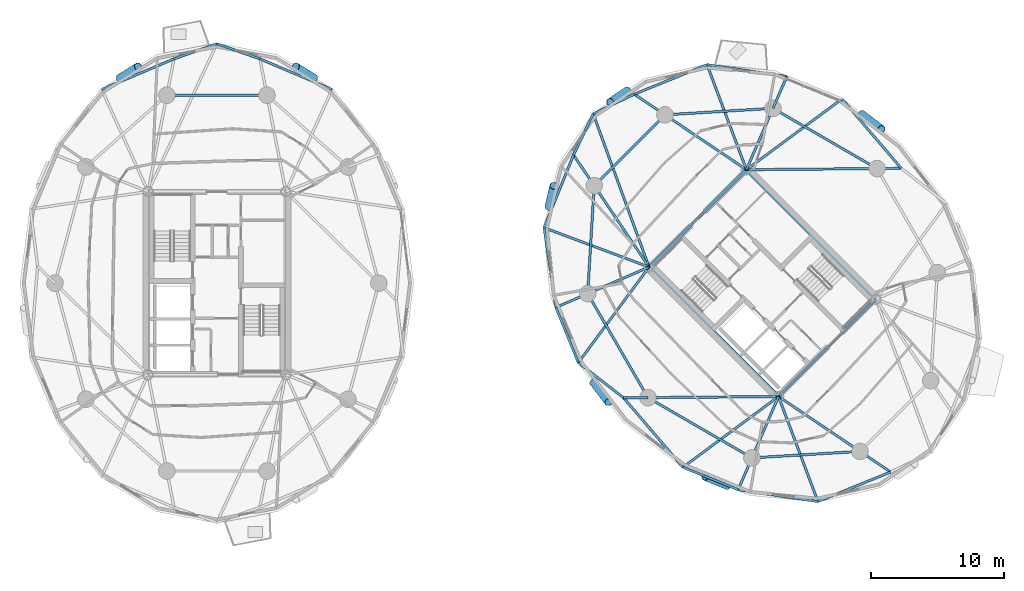
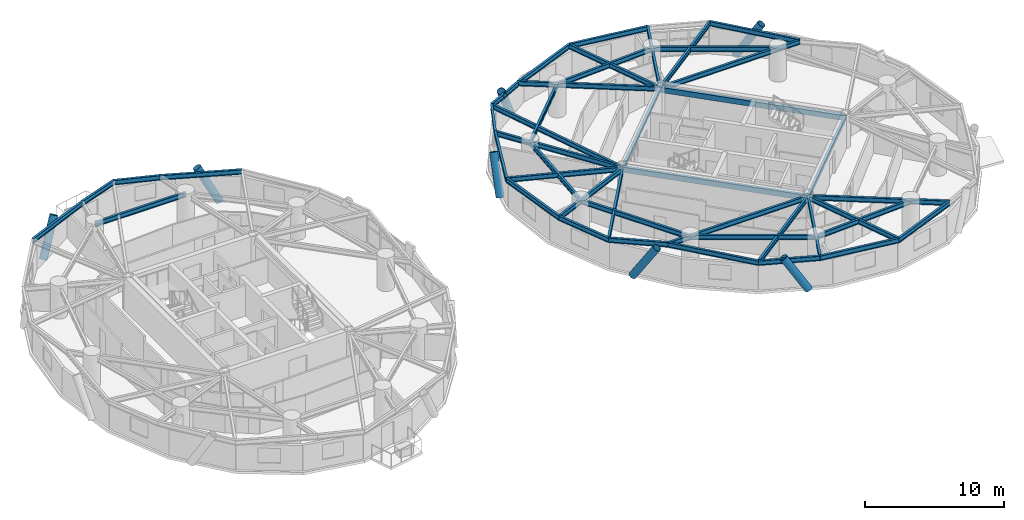
# One storey, part 5 of 17: 46 beams, 7 members.
"""IFC4 building model written with IfcOpenShell, lengths in metres."""

from ifc_helpers import new_model, si_unit, direction, frame, origin, origin_2d, place, context, subcontext, project, spatial, hollow_rectangle, hollow_circle, i_section, extrude, material, material_profile, profile_set, type_object, element, save


model = new_model("IFC4")

# Units and contexts
model_context = context("Model", 3, precision=1e-05, world=origin(), true_north=direction((0.0, 1.0)))
body_context = subcontext(model_context, "Body", "Model", "MODEL_VIEW")
ifc_project = project(units=[si_unit("LENGTHUNIT", "METRE"), si_unit("AREAUNIT", "SQUARE_METRE"), si_unit("VOLUMEUNIT", "CUBIC_METRE"), si_unit("PLANEANGLEUNIT", "RADIAN"), si_unit("MASSUNIT", "GRAM", prefix="KILO")], contexts=[model_context])

# Site, building, storey
site_placement = place(None, origin())
site = spatial("IfcSite", under=ifc_project, at=site_placement, CompositionType="ELEMENT")
building_placement = place(site_placement, origin())
building = spatial("IfcBuilding", under=site, at=building_placement, Name="Cununo Teusaquillo Station Towers", CompositionType="ELEMENT")
storey_placement = place(building_placement, frame((0.0, 0.0, 163.239990234375)))
storey = spatial("IfcBuildingStorey", under=building, at=storey_placement, Name="L51", CompositionType="ELEMENT", Elevation=163.239990234375)

# Beams
ifc_material_1 = material(Name="Steel EN 10025-2 S355J2", Category="steel")
ifc_material_profile_1 = material_profile(ifc_material_1, hollow_rectangle(XDim=0.25, YDim=0.449951171875, WallThickness=0.01611328125, at=origin_2d()), Name="RHS 450x250x16")
ifc_profile_set_1 = profile_set([ifc_material_profile_1], Name="Steel EN 10025-2 S355J2")
beam_type_1 = type_object("IfcBeamType", Name="BM-COUP-1", PredefinedType="USERDEFINED", material=ifc_profile_set_1)
for number, where, z_axis, x_axis, name in (
    (1, (58.70556640625, 15.975830078125, 2.465087890625), (-0.707106781187, 0.707106781187, 0.0), (-0.707106781187, -0.707106781187, 0.0), "L51 Tower B Core Beam 1"),
    (2, (66.024169921875, 23.29443359375, 2.465087890625), (-0.707106781187, 0.707106781187, 0.0), (-0.707106781187, -0.707106781187, 0.0), "L51 Tower B Core Beam 2"),
):
    element("IfcBeam", number, at=place(storey_placement, frame(where, z_axis=z_axis, x_axis=x_axis)), inside=storey, type_object=beam_type_1, Name=name, ObjectType="COUPLING BEAM", PredefinedType="USERDEFINED", context=body_context, shape_type="SweptSolid", body=[
        extrude(hollow_rectangle(XDim=0.25, YDim=0.449951171875, WallThickness=0.01611328125, at=origin_2d()), origin(), (0.0, 0.0, 1.0), 13.760009765625),
    ])
ifc_material_2 = material(Name="Steel ASTM A572 Grade 50", Category="steel")
ifc_material_profile_2 = material_profile(ifc_material_2, i_section(OverallWidth=0.180908203125, OverallDepth=0.4169921875, WebThickness=0.010986328125, FlangeThickness=0.018310546875, FilletRadius=0.012939453125, at=origin_2d()), Name="W16X57")
ifc_profile_set_2 = profile_set([ifc_material_profile_2], Name="Steel ASTM A572 Grade 50")
beam_type_2 = type_object("IfcBeamType", Name="BM-JOIST-1", PredefinedType="JOIST", material=ifc_profile_set_2)
beam_1_placement = place(storey_placement, frame((56.29443359375, 33.024169921875, 2.4814453125), z_axis=(0.803848430471, 0.594834179272, 0.0), x_axis=(-0.594834179272, 0.803848430471, 0.0)))
element("IfcBeam", 3, at=beam_1_placement, inside=storey, type_object=beam_type_2, Name="L51 Tower B Radial Spandrel Joist V01", PredefinedType="JOIST", context=body_context, shape_type="SweptSolid", body=[
    extrude(i_section(OverallWidth=0.180908203125, OverallDepth=0.4169921875, WebThickness=0.010986328125, FlangeThickness=0.018310546875, FilletRadius=0.012939453125, at=origin_2d()), origin(), (0.0, 0.0, 1.0), 8.936767578125),
])
beam_2_placement = place(storey_placement, frame((56.29443359375, 33.024169921875, 2.4814453125), z_axis=(-0.351348805076, 0.936244635323, 0.0), x_axis=(-0.936244635323, -0.351348805076, 0.0)))
element("IfcBeam", 4, at=beam_2_placement, inside=storey, type_object=beam_type_2, Name="L51 Tower B Radial Spandrel Joist V03", PredefinedType="JOIST", context=body_context, shape_type="SweptSolid", body=[
    extrude(i_section(OverallWidth=0.180908203125, OverallDepth=0.4169921875, WebThickness=0.010986328125, FlangeThickness=0.018310546875, FilletRadius=0.012939453125, at=origin_2d()), origin(), (0.0, 0.0, 1.0), 8.4287109375),
])
beam_3_placement = place(storey_placement, frame((48.975830078125, 25.70556640625, 2.4814453125), z_axis=(-0.34241791496, 0.939547748395, 0.0), x_axis=(-0.939547748395, -0.34241791496, 0.0)))
element("IfcBeam", 5, at=beam_3_placement, inside=storey, type_object=beam_type_2, Name="L51 Tower B Radial Spandrel Joist V05", PredefinedType="JOIST", context=body_context, shape_type="SweptSolid", body=[
    extrude(i_section(OverallWidth=0.180908203125, OverallDepth=0.4169921875, WebThickness=0.010986328125, FlangeThickness=0.018310546875, FilletRadius=0.012939453125, at=origin_2d()), origin(), (0.0, 0.0, 1.0), 12.25634765625),
])
beam_4_placement = place(storey_placement, frame((48.975830078125, 25.70556640625, 2.4814453125), z_axis=(-0.936244635323, 0.351348805076, 0.0), x_axis=(-0.351348805076, -0.936244635323, 0.0)))
element("IfcBeam", 6, at=beam_4_placement, inside=storey, type_object=beam_type_2, Name="L51 Tower B Radial Spandrel Joist V07", PredefinedType="JOIST", context=body_context, shape_type="SweptSolid", body=[
    extrude(i_section(OverallWidth=0.180908203125, OverallDepth=0.4169921875, WebThickness=0.010986328125, FlangeThickness=0.018310546875, FilletRadius=0.012939453125, at=origin_2d()), origin(), (0.0, 0.0, 1.0), 8.4287109375),
])
for number, where, z_axis, x_axis, name in (
    (7, (48.975830078125, 25.70556640625, 2.4814453125), (-0.594834179272, -0.803848430471, 0.0), (0.803848430471, -0.594834179272, 0.0), "L51 Tower B Radial Spandrel Joist V09"),
    (8, (58.70556640625, 15.975830078125, 2.4814453125), (-0.803848430471, -0.594834179272, 0.0), (0.594834179272, -0.803848430471, 0.0), "L51 Tower B Radial Spandrel Joist V11"),
):
    element("IfcBeam", number, at=place(storey_placement, frame(where, z_axis=z_axis, x_axis=x_axis)), inside=storey, type_object=beam_type_2, Name=name, PredefinedType="JOIST", context=body_context, shape_type="SweptSolid", body=[
        extrude(i_section(OverallWidth=0.180908203125, OverallDepth=0.4169921875, WebThickness=0.010986328125, FlangeThickness=0.018310546875, FilletRadius=0.012939453125, at=origin_2d()), origin(), (0.0, 0.0, 1.0), 8.936767578125),
    ])
beam_5_placement = place(storey_placement, frame((58.70556640625, 15.975830078125, 2.4814453125), z_axis=(0.351348805076, -0.936244635323, 0.0), x_axis=(0.936244635323, 0.351348805076, 0.0)))
element("IfcBeam", 9, at=beam_5_placement, inside=storey, type_object=beam_type_2, Name="L51 Tower B Radial Spandrel Joist V13", PredefinedType="JOIST", context=body_context, shape_type="SweptSolid", body=[
    extrude(i_section(OverallWidth=0.180908203125, OverallDepth=0.4169921875, WebThickness=0.010986328125, FlangeThickness=0.018310546875, FilletRadius=0.012939453125, at=origin_2d()), origin(), (0.0, 0.0, 1.0), 8.4287109375),
])
ifc_material_3 = material(Name="Steel ASTM A572 Grade 50", Category="steel")
ifc_material_profile_3 = material_profile(ifc_material_3, i_section(OverallWidth=0.2041015625, OverallDepth=0.35009765625, WebThickness=0.008544921875, FlangeThickness=0.01513671875, FilletRadius=0.011962890625, at=origin_2d()), Name="W14X48")
ifc_profile_set_3 = profile_set([ifc_material_profile_3], Name="Steel ASTM A572 Grade 50")
beam_type_3 = type_object("IfcBeamType", Name="BM-LINTEL-1", PredefinedType="LINTEL", material=ifc_profile_set_3)
for number, where, z_axis, x_axis, name in (
    (10, (58.70556640625, 15.975830078125, 2.514892578125), (0.707106781187, 0.707106781187, 0.0), (-0.707106781187, 0.707106781187, 0.0), "L51 Tower B Core Beam 3"),
    (11, (48.975830078125, 25.70556640625, 2.514892578125), (0.707106781187, 0.707106781187, 0.0), (-0.707106781187, 0.707106781187, 0.0), "L51 Tower B Core Beam 4"),
):
    element("IfcBeam", number, at=place(storey_placement, frame(where, z_axis=z_axis, x_axis=x_axis)), inside=storey, type_object=beam_type_3, Name=name, PredefinedType="LINTEL", context=body_context, shape_type="SweptSolid", body=[
        extrude(i_section(OverallWidth=0.2041015625, OverallDepth=0.35009765625, WebThickness=0.008544921875, FlangeThickness=0.01513671875, FilletRadius=0.011962890625, at=origin_2d()), origin(), (0.0, 0.0, 1.0), 10.35009765625),
    ])
ifc_material_4 = material(Name="Steel ASTM A572 Grade 50", Category="steel")
ifc_material_profile_4 = material_profile(ifc_material_4, i_section(OverallWidth=0.180908203125, OverallDepth=0.4169921875, WebThickness=0.010986328125, FlangeThickness=0.018310546875, FilletRadius=0.012939453125, at=origin_2d()), Name="W16X57")
ifc_profile_set_4 = profile_set([ifc_material_profile_4], Name="Steel ASTM A572 Grade 50")
beam_type_4 = type_object("IfcBeamType", Name="BM-RAD-G2", PredefinedType="BEAM", material=ifc_profile_set_4)
beam_6_placement = place(storey_placement, frame((56.29443359375, 33.024169921875, 2.4814453125), z_axis=(0.999964454788, 0.008431438866, 0.0), x_axis=(-0.008431438866, 0.999964454788, 0.0)))
element("IfcBeam", 12, at=beam_6_placement, inside=storey, type_object=beam_type_4, Name="L51 Tower B Continuous Overhanging Radial Girder 01", PredefinedType="BEAM", context=body_context, shape_type="SweptSolid", body=[
    extrude(i_section(OverallWidth=0.180908203125, OverallDepth=0.4169921875, WebThickness=0.010986328125, FlangeThickness=0.018310546875, FilletRadius=0.012939453125, at=origin_2d()), origin(), (0.0, 0.0, 1.0), 11.640380859375),
])
beam_7_placement = place(storey_placement, frame((56.29443359375, 33.024169921875, 2.4814453125), z_axis=(0.397346986387, 0.917668443616, 0.0), x_axis=(-0.917668443616, 0.397346986387, 0.0)))
element("IfcBeam", 13, at=beam_7_placement, inside=storey, type_object=beam_type_4, Name="L51 Tower B Radial Girder 02A", PredefinedType="BEAM", context=body_context, shape_type="SweptSolid", body=[
    extrude(i_section(OverallWidth=0.180908203125, OverallDepth=0.4169921875, WebThickness=0.010986328125, FlangeThickness=0.018310546875, FilletRadius=0.012939453125, at=origin_2d()), origin(), (0.0, 0.0, 1.0), 5.02490234375),
])
beam_8_placement = place(storey_placement, frame((58.291015625, 37.63525390625, 2.4814453125), z_axis=(0.397431352311, 0.917631908883, 0.0), x_axis=(-0.917631908883, 0.397431352311, 0.0)))
element("IfcBeam", 14, at=beam_8_placement, inside=storey, type_object=beam_type_4, Name="L51 Tower B Perimeter Overhang Girder 02B", PredefinedType="BEAM", context=body_context, shape_type="SweptSolid", body=[
    extrude(i_section(OverallWidth=0.180908203125, OverallDepth=0.4169921875, WebThickness=0.010986328125, FlangeThickness=0.018310546875, FilletRadius=0.012939453125, at=origin_2d()), origin(), (0.0, 0.0, 1.0), 2.607177734375),
])
for number, where, z_axis, x_axis, name in (
    (15, (56.29443359375, 33.024169921875, 2.4814453125), (-0.829456923219, 0.558570687133, 0.0), (-0.558570687133, -0.829456923219, 0.0), "L51 Tower B Continuous Overhanging Radial Girder 03"),
    (16, (48.975830078125, 25.70556640625, 2.4814453125), (-0.558570687133, 0.829456923219, 0.0), (-0.829456923219, -0.558570687133, 0.0), "L51 Tower B Continuous Overhanging Radial Girder 04"),
):
    element("IfcBeam", number, at=place(storey_placement, frame(where, z_axis=z_axis, x_axis=x_axis)), inside=storey, type_object=beam_type_4, Name=name, PredefinedType="BEAM", context=body_context, shape_type="SweptSolid", body=[
        extrude(i_section(OverallWidth=0.180908203125, OverallDepth=0.4169921875, WebThickness=0.010986328125, FlangeThickness=0.018310546875, FilletRadius=0.012939453125, at=origin_2d()), origin(), (0.0, 0.0, 1.0), 10.1591796875),
    ])
beam_9_placement = place(storey_placement, frame((48.975830078125, 25.70556640625, 2.4814453125), z_axis=(-0.917655964072, -0.397375806515, 0.0), x_axis=(0.397375806515, -0.917655964072, 0.0)))
element("IfcBeam", 17, at=beam_9_placement, inside=storey, type_object=beam_type_4, Name="L51 Tower B Continuous Overhanging Radial Girder 05", PredefinedType="BEAM", context=body_context, shape_type="SweptSolid", body=[
    extrude(i_section(OverallWidth=0.180908203125, OverallDepth=0.4169921875, WebThickness=0.010986328125, FlangeThickness=0.018310546875, FilletRadius=0.012939453125, at=origin_2d()), origin(), (0.0, 0.0, 1.0), 7.6318359375),
])
beam_10_placement = place(storey_placement, frame((58.70556640625, 15.975830078125, 2.4814453125), z_axis=(-0.999964431382, -0.008434214327, 0.0), x_axis=(0.008434214327, -0.999964431382, 0.0)))
element("IfcBeam", 18, at=beam_10_placement, inside=storey, type_object=beam_type_4, Name="L51 Tower B Radial Girder 06A", PredefinedType="BEAM", context=body_context, shape_type="SweptSolid", body=[
    extrude(i_section(OverallWidth=0.180908203125, OverallDepth=0.4169921875, WebThickness=0.010986328125, FlangeThickness=0.018310546875, FilletRadius=0.012939453125, at=origin_2d()), origin(), (0.0, 0.0, 1.0), 9.812744140625),
])
beam_11_placement = place(storey_placement, frame((48.89306640625, 15.89306640625, 2.4814453125), z_axis=(-0.999964580337, -0.008416535546, 0.0), x_axis=(0.008416535546, -0.999964580337, 0.0)))
element("IfcBeam", 19, at=beam_11_placement, inside=storey, type_object=beam_type_4, Name="L51 Tower B Perimeter Overhang Girder 06B", PredefinedType="BEAM", context=body_context, shape_type="SweptSolid", body=[
    extrude(i_section(OverallWidth=0.180908203125, OverallDepth=0.4169921875, WebThickness=0.010986328125, FlangeThickness=0.018310546875, FilletRadius=0.012939453125, at=origin_2d()), origin(), (0.0, 0.0, 1.0), 1.827392578125),
])
beam_12_placement = place(storey_placement, frame((58.70556640625, 15.975830078125, 2.4814453125), z_axis=(-0.397375806515, -0.917655964072, 0.0), x_axis=(0.917655964072, -0.397375806515, 0.0)))
element("IfcBeam", 20, at=beam_12_placement, inside=storey, type_object=beam_type_4, Name="L51 Tower B Continuous Overhanging Radial Girder 07", PredefinedType="BEAM", context=body_context, shape_type="SweptSolid", body=[
    extrude(i_section(OverallWidth=0.180908203125, OverallDepth=0.4169921875, WebThickness=0.010986328125, FlangeThickness=0.018310546875, FilletRadius=0.012939453125, at=origin_2d()), origin(), (0.0, 0.0, 1.0), 7.6318359375),
])
beam_13_placement = place(storey_placement, frame((58.70556640625, 15.975830078125, 2.4814453125), z_axis=(0.829456923219, -0.558570687133, 0.0), x_axis=(0.558570687133, 0.829456923219, 0.0)))
element("IfcBeam", 21, at=beam_13_placement, inside=storey, type_object=beam_type_4, Name="L51 Tower B Continuous Overhanging Radial Girder 08", PredefinedType="BEAM", context=body_context, shape_type="SweptSolid", body=[
    extrude(i_section(OverallWidth=0.180908203125, OverallDepth=0.4169921875, WebThickness=0.010986328125, FlangeThickness=0.018310546875, FilletRadius=0.012939453125, at=origin_2d()), origin(), (0.0, 0.0, 1.0), 10.1591796875),
])
ifc_material_5 = material(Name="Steel ASTM A572 Grade 50", Category="steel")
ifc_material_profile_5 = material_profile(ifc_material_5, i_section(OverallWidth=0.180908203125, OverallDepth=0.4169921875, WebThickness=0.010986328125, FlangeThickness=0.018310546875, FilletRadius=0.012939453125, at=origin_2d()), Name="W16X57")
ifc_profile_set_5 = profile_set([ifc_material_profile_5], Name="Steel ASTM A572 Grade 50")
beam_type_5 = type_object("IfcBeamType", Name="BM-RING-Z3", PredefinedType="SPANDREL", material=ifc_profile_set_5)
beam_14_placement = place(storey_placement, frame((20.261474609375, 38.623291015625, 2.4814453125), z_axis=(-1.0, 0.0, 0.0), x_axis=(0.0, -1.0, 0.0)))
element("IfcBeam", 22, at=beam_14_placement, inside=storey, type_object=beam_type_5, Name="L51 Tower A Structural Column Ring Girder 03", PredefinedType="SPANDREL", context=body_context, shape_type="SweptSolid", body=[
    extrude(i_section(OverallWidth=0.180908203125, OverallDepth=0.4169921875, WebThickness=0.010986328125, FlangeThickness=0.018310546875, FilletRadius=0.012939453125, at=origin_2d()), origin(), (0.0, 0.0, 1.0), 7.52294921875),
])
beam_15_placement = place(storey_placement, frame((25.160888671875, 39.05419921875, 2.4814453125), z_axis=(-0.921042081118, 0.38946307246, 0.0), x_axis=(-0.38946307246, -0.921042081118, 0.0)))
element("IfcBeam", 23, at=beam_15_placement, inside=storey, type_object=beam_type_5, Name="L51 Tower A Spandrel Ring Beam 04", PredefinedType="SPANDREL", context=body_context, shape_type="SweptSolid", body=[
    extrude(i_section(OverallWidth=0.180908203125, OverallDepth=0.4169921875, WebThickness=0.010986328125, FlangeThickness=0.018310546875, FilletRadius=0.012939453125, at=origin_2d()), origin(), (0.0, 0.0, 1.0), 5.8974609375),
])
for number, where, z_axis, x_axis, name in (
    (24, (19.72900390625, 41.35107421875, 2.4814453125), (-0.943057449198, 0.332629895698, 0.0), (-0.332629895698, -0.943057449198, 0.0), "L51 Tower A Spandrel Ring Beam 05"),
    (25, (16.5, 42.489990234375, 2.4814453125), (-0.943057449198, -0.332629895698, 0.0), (0.332629895698, -0.943057449198, 0.0), "L51 Tower A Spandrel Ring Beam 06"),
):
    element("IfcBeam", number, at=place(storey_placement, frame(where, z_axis=z_axis, x_axis=x_axis)), inside=storey, type_object=beam_type_5, Name=name, PredefinedType="SPANDREL", context=body_context, shape_type="SweptSolid", body=[
        extrude(i_section(OverallWidth=0.180908203125, OverallDepth=0.4169921875, WebThickness=0.010986328125, FlangeThickness=0.018310546875, FilletRadius=0.012939453125, at=origin_2d()), origin(), (0.0, 0.0, 1.0), 3.424072265625),
    ])
beam_16_placement = place(storey_placement, frame((13.27099609375, 41.35107421875, 2.4814453125), z_axis=(-0.921042081118, -0.38946307246, 0.0), x_axis=(0.38946307246, -0.921042081118, 0.0)))
element("IfcBeam", 26, at=beam_16_placement, inside=storey, type_object=beam_type_5, Name="L51 Tower A Spandrel Ring Beam 07", PredefinedType="SPANDREL", context=body_context, shape_type="SweptSolid", body=[
    extrude(i_section(OverallWidth=0.180908203125, OverallDepth=0.4169921875, WebThickness=0.010986328125, FlangeThickness=0.018310546875, FilletRadius=0.012939453125, at=origin_2d()), origin(), (0.0, 0.0, 1.0), 5.8974609375),
])
beam_17_placement = place(storey_placement, frame((66.10693359375, 33.10693359375, 2.4814453125), z_axis=(-0.865267103202, 0.501311121078, 0.0), x_axis=(-0.501311121078, -0.865267103202, 0.0)))
element("IfcBeam", 27, at=beam_17_placement, inside=storey, type_object=beam_type_5, Name="L51 Tower B Structural Column Ring Girder 01", PredefinedType="SPANDREL", context=body_context, shape_type="SweptSolid", body=[
    extrude(i_section(OverallWidth=0.180908203125, OverallDepth=0.4169921875, WebThickness=0.010986328125, FlangeThickness=0.018310546875, FilletRadius=0.012939453125, at=origin_2d()), origin(), (0.0, 0.0, 1.0), 9.032958984375),
])
beam_18_placement = place(storey_placement, frame((58.291015625, 37.63525390625, 2.4814453125), z_axis=(-0.998190567048, -0.06012979176, 0.0), x_axis=(0.06012979176, -0.998190567048, 0.0)))
element("IfcBeam", 28, at=beam_18_placement, inside=storey, type_object=beam_type_5, Name="L51 Tower B Structural Column Ring Girder 02", PredefinedType="SPANDREL", context=body_context, shape_type="SweptSolid", body=[
    extrude(i_section(OverallWidth=0.180908203125, OverallDepth=0.4169921875, WebThickness=0.010986328125, FlangeThickness=0.018310546875, FilletRadius=0.012939453125, at=origin_2d()), origin(), (0.0, 0.0, 1.0), 8.132568359375),
])
beam_19_placement = place(storey_placement, frame((50.173095703125, 37.146240234375, 2.4814453125), z_axis=(-0.707106781187, -0.707106781187, 0.0), x_axis=(0.707106781187, -0.707106781187, 0.0)))
element("IfcBeam", 29, at=beam_19_placement, inside=storey, type_object=beam_type_5, Name="L51 Tower B Structural Column Ring Girder 03", PredefinedType="SPANDREL", context=body_context, shape_type="SweptSolid", body=[
    extrude(i_section(OverallWidth=0.180908203125, OverallDepth=0.4169921875, WebThickness=0.010986328125, FlangeThickness=0.018310546875, FilletRadius=0.012939453125, at=origin_2d()), origin(), (0.0, 0.0, 1.0), 7.522705078125),
])
beam_20_placement = place(storey_placement, frame((44.853759765625, 31.826904296875, 2.4814453125), z_axis=(-0.06012979176, -0.998190567048, 0.0), x_axis=(0.998190567048, -0.06012979176, 0.0)))
element("IfcBeam", 30, at=beam_20_placement, inside=storey, type_object=beam_type_5, Name="L51 Tower B Structural Column Ring Girder 04", PredefinedType="SPANDREL", context=body_context, shape_type="SweptSolid", body=[
    extrude(i_section(OverallWidth=0.180908203125, OverallDepth=0.4169921875, WebThickness=0.010986328125, FlangeThickness=0.018310546875, FilletRadius=0.012939453125, at=origin_2d()), origin(), (0.0, 0.0, 1.0), 8.132568359375),
])
for number, where, z_axis, x_axis, name in (
    (31, (44.36474609375, 23.708984375, 2.4814453125), (0.501311121078, -0.865267103202, 0.0), (0.865267103202, 0.501311121078, 0.0), "L51 Tower B Structural Column Ring Girder 05"),
    (32, (48.89306640625, 15.89306640625, 2.4814453125), (0.865267103202, -0.501311121078, 0.0), (0.501311121078, 0.865267103202, 0.0), "L51 Tower B Structural Column Ring Girder 06"),
):
    element("IfcBeam", number, at=place(storey_placement, frame(where, z_axis=z_axis, x_axis=x_axis)), inside=storey, type_object=beam_type_5, Name=name, PredefinedType="SPANDREL", context=body_context, shape_type="SweptSolid", body=[
        extrude(i_section(OverallWidth=0.180908203125, OverallDepth=0.4169921875, WebThickness=0.010986328125, FlangeThickness=0.018310546875, FilletRadius=0.012939453125, at=origin_2d()), origin(), (0.0, 0.0, 1.0), 9.032958984375),
    ])
beam_21_placement = place(storey_placement, frame((56.708984375, 11.36474609375, 2.4814453125), z_axis=(0.998190567048, 0.06012979176, 0.0), x_axis=(-0.06012979176, 0.998190567048, 0.0)))
element("IfcBeam", 33, at=beam_21_placement, inside=storey, type_object=beam_type_5, Name="L51 Tower B Structural Column Ring Girder 07", PredefinedType="SPANDREL", context=body_context, shape_type="SweptSolid", body=[
    extrude(i_section(OverallWidth=0.180908203125, OverallDepth=0.4169921875, WebThickness=0.010986328125, FlangeThickness=0.018310546875, FilletRadius=0.012939453125, at=origin_2d()), origin(), (0.0, 0.0, 1.0), 8.132568359375),
])
beam_22_placement = place(storey_placement, frame((67.934326171875, 33.122314453125, 2.4814453125), z_axis=(-0.64941898982, 0.760430782952, 0.0), x_axis=(-0.760430782952, -0.64941898982, 0.0)))
element("IfcBeam", 34, at=beam_22_placement, inside=storey, type_object=beam_type_5, Name="L51 Tower B Spandrel Ring Beam 01", PredefinedType="SPANDREL", context=body_context, shape_type="SweptSolid", body=[
    extrude(i_section(OverallWidth=0.180908203125, OverallDepth=0.4169921875, WebThickness=0.010986328125, FlangeThickness=0.018310546875, FilletRadius=0.012939453125, at=origin_2d()), origin(), (0.0, 0.0, 1.0), 6.861572265625),
])
beam_23_placement = place(storey_placement, frame((59.3271484375, 40.027587890625, 2.4814453125), z_axis=(-0.989205409176, 0.146535519435, 0.0), x_axis=(-0.146535519435, -0.989205409176, 0.0)))
element("IfcBeam", 35, at=beam_23_placement, inside=storey, type_object=beam_type_5, Name="L51 Tower B Spandrel Ring Beam 03", PredefinedType="SPANDREL", context=body_context, shape_type="SweptSolid", body=[
    extrude(i_section(OverallWidth=0.180908203125, OverallDepth=0.4169921875, WebThickness=0.010986328125, FlangeThickness=0.018310546875, FilletRadius=0.012939453125, at=origin_2d()), origin(), (0.0, 0.0, 1.0), 6.0595703125),
])
beam_24_placement = place(storey_placement, frame((53.3330078125, 40.91552734375, 2.4814453125), z_axis=(-0.926667183359, -0.375882869104, 0.0), x_axis=(0.375882869104, -0.926667183359, 0.0)))
element("IfcBeam", 36, at=beam_24_placement, inside=storey, type_object=beam_type_5, Name="L51 Tower B Spandrel Ring Beam 04", PredefinedType="SPANDREL", context=body_context, shape_type="SweptSolid", body=[
    extrude(i_section(OverallWidth=0.180908203125, OverallDepth=0.4169921875, WebThickness=0.010986328125, FlangeThickness=0.018310546875, FilletRadius=0.012939453125, at=origin_2d()), origin(), (0.0, 0.0, 1.0), 5.8974609375),
])
for number, where, z_axis, x_axis, name in (
    (37, (47.867919921875, 38.69873046875, 2.4814453125), (-0.902077503555, -0.431574069634, 0.0), (0.431574069634, -0.902077503555, 0.0), "L51 Tower B Spandrel Ring Beam 05"),
    (38, (44.779052734375, 37.220947265625, 2.4814453125), (-0.431574069634, -0.902077503555, 0.0), (0.902077503555, -0.431574069634, 0.0), "L51 Tower B Spandrel Ring Beam 06"),
):
    element("IfcBeam", number, at=place(storey_placement, frame(where, z_axis=z_axis, x_axis=x_axis)), inside=storey, type_object=beam_type_5, Name=name, PredefinedType="SPANDREL", context=body_context, shape_type="SweptSolid", body=[
        extrude(i_section(OverallWidth=0.180908203125, OverallDepth=0.4169921875, WebThickness=0.010986328125, FlangeThickness=0.018310546875, FilletRadius=0.012939453125, at=origin_2d()), origin(), (0.0, 0.0, 1.0), 3.424072265625),
    ])
beam_25_placement = place(storey_placement, frame((43.30126953125, 34.132080078125, 2.4814453125), z_axis=(-0.375882869104, -0.926667183359, 0.0), x_axis=(0.926667183359, -0.375882869104, 0.0)))
element("IfcBeam", 39, at=beam_25_placement, inside=storey, type_object=beam_type_5, Name="L51 Tower B Spandrel Ring Beam 07", PredefinedType="SPANDREL", context=body_context, shape_type="SweptSolid", body=[
    extrude(i_section(OverallWidth=0.180908203125, OverallDepth=0.4169921875, WebThickness=0.010986328125, FlangeThickness=0.018310546875, FilletRadius=0.012939453125, at=origin_2d()), origin(), (0.0, 0.0, 1.0), 5.8974609375),
])
beam_26_placement = place(storey_placement, frame((41.08447265625, 28.6669921875, 2.4814453125), z_axis=(0.146535519435, -0.989205409176, 0.0), x_axis=(0.989205409176, 0.146535519435, 0.0)))
element("IfcBeam", 40, at=beam_26_placement, inside=storey, type_object=beam_type_5, Name="L51 Tower B Spandrel Ring Beam 08", PredefinedType="SPANDREL", context=body_context, shape_type="SweptSolid", body=[
    extrude(i_section(OverallWidth=0.180908203125, OverallDepth=0.4169921875, WebThickness=0.010986328125, FlangeThickness=0.018310546875, FilletRadius=0.012939453125, at=origin_2d()), origin(), (0.0, 0.0, 1.0), 6.0595703125),
])
beam_27_placement = place(storey_placement, frame((41.972412109375, 22.6728515625, 2.4814453125), z_axis=(0.376588942192, -0.926380466449, 0.0), x_axis=(0.926380466449, 0.376588942192, 0.0)))
element("IfcBeam", 41, at=beam_27_placement, inside=storey, type_object=beam_type_5, Name="L51 Tower B Spandrel Ring Beam 09", PredefinedType="SPANDREL", context=body_context, shape_type="SweptSolid", body=[
    extrude(i_section(OverallWidth=0.180908203125, OverallDepth=0.4169921875, WebThickness=0.010986328125, FlangeThickness=0.018310546875, FilletRadius=0.012939453125, at=origin_2d()), origin(), (0.0, 0.0, 1.0), 4.48095703125),
])
beam_28_placement = place(storey_placement, frame((43.659912109375, 18.521728515625, 2.4814453125), z_axis=(0.789900716386, -0.613234749711, 0.0), x_axis=(0.613234749711, 0.789900716386, 0.0)))
element("IfcBeam", 42, at=beam_28_placement, inside=storey, type_object=beam_type_5, Name="L51 Tower B Spandrel Ring Beam 10", PredefinedType="SPANDREL", context=body_context, shape_type="SweptSolid", body=[
    extrude(i_section(OverallWidth=0.180908203125, OverallDepth=0.4169921875, WebThickness=0.010986328125, FlangeThickness=0.018310546875, FilletRadius=0.012939453125, at=origin_2d()), origin(), (0.0, 0.0, 1.0), 4.3115234375),
])
beam_29_placement = place(storey_placement, frame((47.065673828125, 15.877685546875, 2.4814453125), z_axis=(0.64941898982, -0.760430782952, 0.0), x_axis=(0.760430782952, 0.64941898982, 0.0)))
element("IfcBeam", 43, at=beam_29_placement, inside=storey, type_object=beam_type_5, Name="L51 Tower B Spandrel Ring Beam 11", PredefinedType="SPANDREL", context=body_context, shape_type="SweptSolid", body=[
    extrude(i_section(OverallWidth=0.180908203125, OverallDepth=0.4169921875, WebThickness=0.010986328125, FlangeThickness=0.018310546875, FilletRadius=0.012939453125, at=origin_2d()), origin(), (0.0, 0.0, 1.0), 6.861572265625),
])
beam_30_placement = place(storey_placement, frame((51.521728515625, 10.659912109375, 2.4814453125), z_axis=(0.926380466449, -0.376588942192, 0.0), x_axis=(0.376588942192, 0.926380466449, 0.0)))
element("IfcBeam", 44, at=beam_30_placement, inside=storey, type_object=beam_type_5, Name="L51 Tower B Spandrel Ring Beam 12", PredefinedType="SPANDREL", context=body_context, shape_type="SweptSolid", body=[
    extrude(i_section(OverallWidth=0.180908203125, OverallDepth=0.4169921875, WebThickness=0.010986328125, FlangeThickness=0.018310546875, FilletRadius=0.012939453125, at=origin_2d()), origin(), (0.0, 0.0, 1.0), 4.48095703125),
])
beam_31_placement = place(storey_placement, frame((55.6728515625, 8.972412109375, 2.4814453125), z_axis=(0.989205409176, -0.146535519435, 0.0), x_axis=(0.146535519435, 0.989205409176, 0.0)))
element("IfcBeam", 45, at=beam_31_placement, inside=storey, type_object=beam_type_5, Name="L51 Tower B Spandrel Ring Beam 13", PredefinedType="SPANDREL", context=body_context, shape_type="SweptSolid", body=[
    extrude(i_section(OverallWidth=0.180908203125, OverallDepth=0.4169921875, WebThickness=0.010986328125, FlangeThickness=0.018310546875, FilletRadius=0.012939453125, at=origin_2d()), origin(), (0.0, 0.0, 1.0), 6.0595703125),
])
beam_32_placement = place(storey_placement, frame((61.6669921875, 8.08447265625, 2.4814453125), z_axis=(0.926667183359, 0.375882869104, 0.0), x_axis=(-0.375882869104, 0.926667183359, 0.0)))
element("IfcBeam", 46, at=beam_32_placement, inside=storey, type_object=beam_type_5, Name="L51 Tower B Spandrel Ring Beam 14", PredefinedType="SPANDREL", context=body_context, shape_type="SweptSolid", body=[
    extrude(i_section(OverallWidth=0.180908203125, OverallDepth=0.4169921875, WebThickness=0.010986328125, FlangeThickness=0.018310546875, FilletRadius=0.012939453125, at=origin_2d()), origin(), (0.0, 0.0, 1.0), 5.8974609375),
])

# Members
ifc_material_6 = material(Name="Steel EN 10025-2 S355J2", Category="steel")
ifc_material_profile_6 = material_profile(ifc_material_6, hollow_circle(Radius=0.304931640625, WallThickness=0.02001953125, at=origin_2d()), Name="CHS 610x20")
ifc_profile_set_6 = profile_set([ifc_material_profile_6], Name="Steel EN 10025-2 S355J2")
member_type = type_object("IfcMemberType", Name="MBR-DIAG-Z3", PredefinedType="BRACE", material=ifc_profile_set_6)
for number, where, z_axis, x_axis, name in (
    (47, (23.791748046875, 39.906005859375, -0.139892578125), (-0.411546762261, 0.256042555907, 0.874683641117), (-0.528255801217, -0.849085277508, 0.0), "L51 Tower A Folded-Zigzag Diagrid Tube C03"),
    (48, (9.208251953125, 39.906005859375, -0.139892578125), (0.411546762261, 0.256042555907, 0.874683641117), (-0.528255801217, 0.849085277508, 0.0), "L51 Tower A Folded-Zigzag Diagrid Tube C06"),
):
    element("IfcMember", number, at=place(storey_placement, frame(where, z_axis=z_axis, x_axis=x_axis)), inside=storey, type_object=member_type, Name=name, PredefinedType="BRACE", context=body_context, shape_type="SweptSolid", body=[
        extrude(hollow_circle(Radius=0.304931640625, WallThickness=0.02001953125, at=origin_2d()), origin(), (0.0, 0.0, 1.0), 3.326904296875),
    ])
member_1_placement = place(storey_placement, frame((64.95849609375, 37.199951171875, -0.139892578125), z_axis=(0.428091371448, -0.329751780348, 0.841428274453), x_axis=(0.610234657618, 0.792220715863, 0.0)))
element("IfcMember", 49, at=member_1_placement, inside=storey, type_object=member_type, Name="L51 Tower B Folded-Zigzag Diagrid Tube C00", PredefinedType="BRACE", context=body_context, shape_type="SweptSolid", body=[
    extrude(hollow_circle(Radius=0.304931640625, WallThickness=0.02001953125, at=origin_2d()), origin(), (0.0, 0.0, 1.0), 3.458251953125),
])
member_2_placement = place(storey_placement, frame((47.3408203125, 38.952392578125, -0.139892578125), z_axis=(-0.388754467899, -0.262726004035, 0.883088336743), x_axis=(0.559936520368, -0.828535511103, 0.0)))
element("IfcMember", 50, at=member_2_placement, inside=storey, type_object=member_type, Name="L51 Tower B Folded-Zigzag Diagrid Tube C04", PredefinedType="BRACE", context=body_context, shape_type="SweptSolid", body=[
    extrude(hollow_circle(Radius=0.304931640625, WallThickness=0.02001953125, at=origin_2d()), origin(), (0.0, 0.0, 1.0), 3.295166015625),
])
member_3_placement = place(storey_placement, frame((41.4501953125, 30.237548828125, -0.139892578125), z_axis=(0.110002817, 0.472080134599, 0.874665494214), x_axis=(-0.973909284725, 0.226937667931, 0.0)))
element("IfcMember", 51, at=member_3_placement, inside=storey, type_object=member_type, Name="L51 Tower B Folded-Zigzag Diagrid Tube C06", PredefinedType="BRACE", context=body_context, shape_type="SweptSolid", body=[
    extrude(hollow_circle(Radius=0.304931640625, WallThickness=0.02001953125, at=origin_2d()), origin(), (0.0, 0.0, 1.0), 3.326904296875),
])
member_4_placement = place(storey_placement, frame((44.800048828125, 17.04150390625, -0.139892578125), z_axis=(0.329751780348, -0.428091371448, 0.841428274453), x_axis=(0.792220715863, 0.610234657618, 0.0)))
element("IfcMember", 52, at=member_4_placement, inside=storey, type_object=member_type, Name="L51 Tower B Folded-Zigzag Diagrid Tube C09", PredefinedType="BRACE", context=body_context, shape_type="SweptSolid", body=[
    extrude(hollow_circle(Radius=0.304931640625, WallThickness=0.02001953125, at=origin_2d()), origin(), (0.0, 0.0, 1.0), 3.458251953125),
])
member_5_placement = place(storey_placement, frame((54.872314453125, 9.2822265625, -0.139892578125), z_axis=(-0.48876373855, 0.200933037955, 0.848961672949), x_axis=(-0.380227752796, -0.924892888936, 0.0)))
element("IfcMember", 53, at=member_5_placement, inside=storey, type_object=member_type, Name="L51 Tower B Folded-Zigzag Diagrid Tube C11", PredefinedType="BRACE", context=body_context, shape_type="SweptSolid", body=[
    extrude(hollow_circle(Radius=0.304931640625, WallThickness=0.02001953125, at=origin_2d()), origin(), (0.0, 0.0, 1.0), 3.427734375),
])

save(model, "model.ifc")
